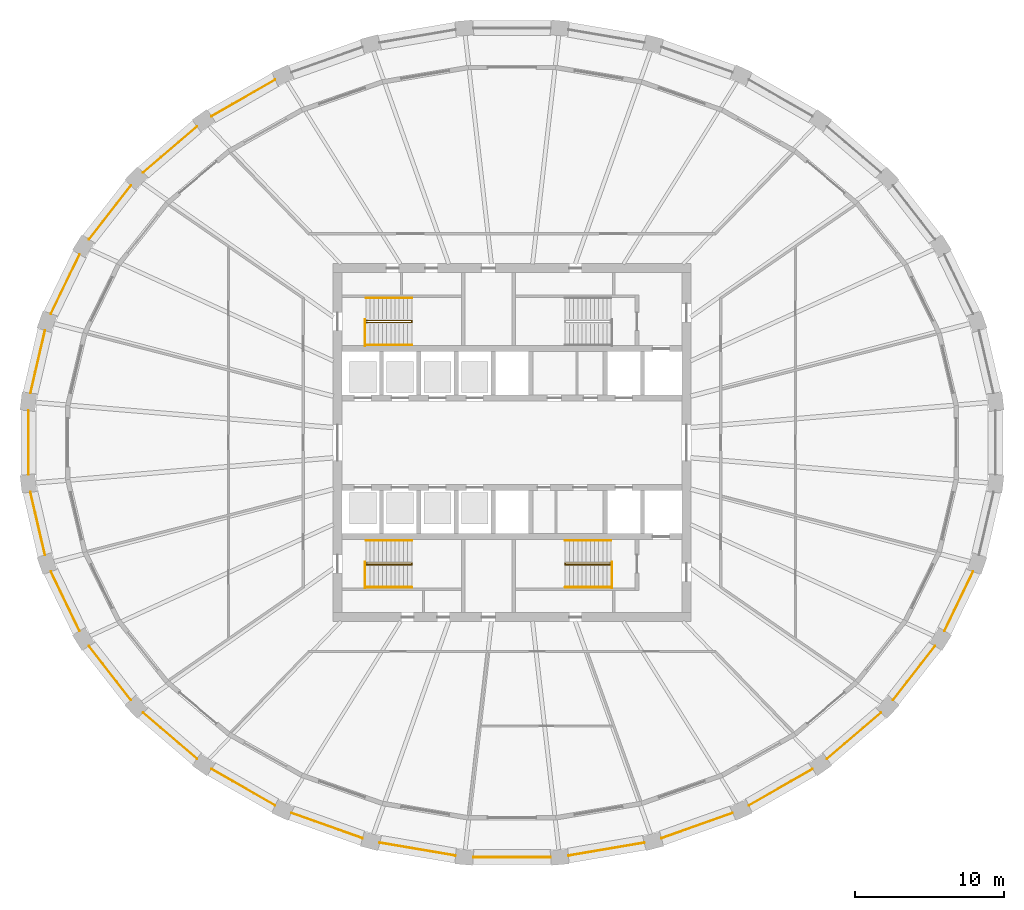
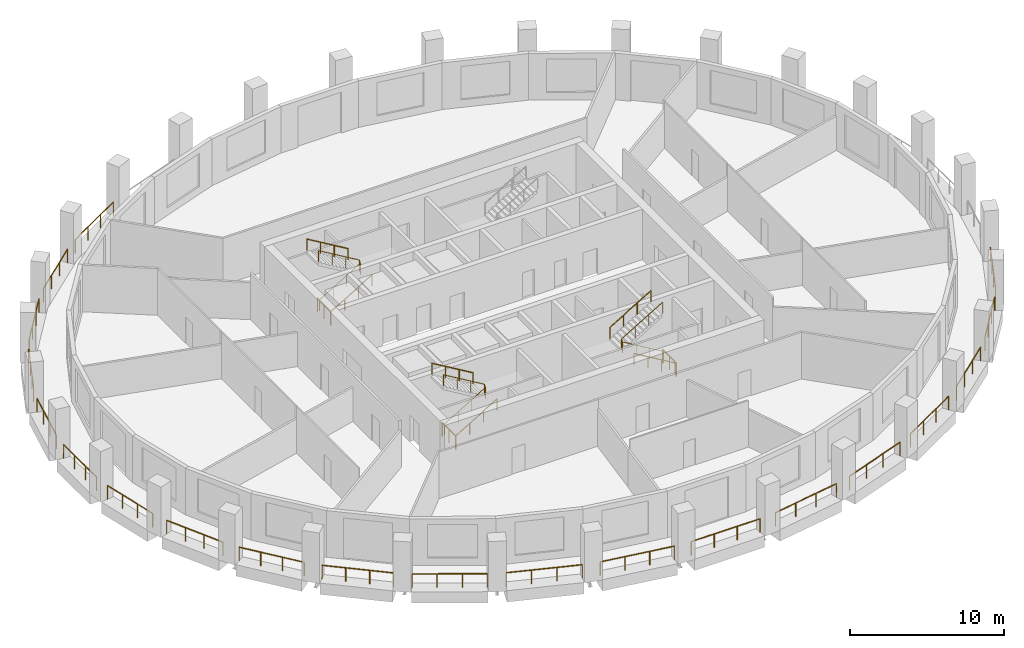
# One storey, part 8 of 10: 32 railings.
"""IFC4 building model written with IfcOpenShell, lengths in metres."""

from ifc_helpers import new_model, si_unit, direction, frame, origin, origin_2d, place, context, subcontext, project, spatial, circle, extrude, material, type_object, element, save


model = new_model("IFC4")

# Units and contexts
model_context = context("Model", 3, precision=1e-05, world=origin(), true_north=direction((0.0, 1.0)))
body_context = subcontext(model_context, "Body", "Model", "MODEL_VIEW")
ifc_project = project(units=[si_unit("LENGTHUNIT", "METRE"), si_unit("AREAUNIT", "SQUARE_METRE"), si_unit("VOLUMEUNIT", "CUBIC_METRE"), si_unit("PLANEANGLEUNIT", "RADIAN"), si_unit("MASSUNIT", "GRAM", prefix="KILO")], contexts=[model_context])

# Site, building, storey
site_placement = place(None, origin())
site = spatial("IfcSite", under=ifc_project, at=site_placement, CompositionType="ELEMENT")
building_placement = place(site_placement, origin())
building = spatial("IfcBuilding", under=site, at=building_placement, Name="Halqa Exchange Tower", CompositionType="ELEMENT")
storey_placement = place(building_placement, frame((0.0, 0.0, 190.89990234375)))
storey = spatial("IfcBuildingStorey", under=building, at=storey_placement, Name="L43", CompositionType="ELEMENT", Elevation=190.89990234375)

# Railings
ifc_material = material(Name="Stainless steel", Category="steel")
railing_type_1 = type_object("IfcRailingType", Name="Guard 1100 stainless steel", PredefinedType="GUARDRAIL", material=ifc_material)
railing_1_placement = place(storey_placement, frame((-15.87841796875, 24.329345703125, 0.0)))
element("IfcRailing", 1, at=railing_1_placement, inside=storey, type_object=railing_type_1, Name="Loggia guard 11", PredefinedType="GUARDRAIL", context=body_context, shape_type="SweptSolid", body=[
    extrude(circle(Radius=0.02392578125, at=origin_2d()), frame((0.0, 0.0, 1.076171875), z_axis=(-0.867760186482, -0.496983157417, 0.0), x_axis=(0.496983157417, -0.867760186482, 0.0)), (0.0, 0.0, 1.0), 4.91943359375),
    extrude(circle(Radius=0.02099609375, at=origin_2d()), origin(), (0.0, 0.0, 1.0), 1.052001953125),
    extrude(circle(Radius=0.02099609375, at=origin_2d()), frame((-1.4228515625, -0.81494140625, 0.0)), (0.0, 0.0, 1.0), 1.052001953125),
    extrude(circle(Radius=0.02099609375, at=origin_2d()), frame((-2.845947265625, -1.6298828125, 0.0)), (0.0, 0.0, 1.0), 1.052001953125),
    extrude(circle(Radius=0.02099609375, at=origin_2d()), frame((-4.268798828125, -2.44482421875, 0.0)), (0.0, 0.0, 1.0), 1.052001953125),
])
railing_2_placement = place(storey_placement, frame((-21.123291015625, 21.19580078125, 0.0)))
element("IfcRailing", 2, at=railing_2_placement, inside=storey, type_object=railing_type_1, Name="Loggia guard 12", PredefinedType="GUARDRAIL", context=body_context, shape_type="SweptSolid", body=[
    extrude(circle(Radius=0.02392578125, at=origin_2d()), frame((0.0, 0.0, 1.076171875), z_axis=(-0.759245713633, -0.650804076761, 0.0), x_axis=(0.650804076761, -0.759245713633, 0.0)), (0.0, 0.0, 1.0), 4.748046875),
    extrude(circle(Radius=0.02099609375, at=origin_2d()), origin(), (0.0, 0.0, 1.0), 1.052001953125),
    extrude(circle(Radius=0.02099609375, at=origin_2d()), frame((-1.20166015625, -1.030029296875, 0.0)), (0.0, 0.0, 1.0), 1.052001953125),
    extrude(circle(Radius=0.02099609375, at=origin_2d()), frame((-2.4033203125, -2.06005859375, 0.0)), (0.0, 0.0, 1.0), 1.052001953125),
    extrude(circle(Radius=0.02099609375, at=origin_2d()), frame((-3.60498046875, -3.090087890625, 0.0)), (0.0, 0.0, 1.0), 1.052001953125),
])
railing_3_placement = place(storey_placement, frame((-25.552734375, 17.2421875, 0.0)))
element("IfcRailing", 3, at=railing_3_placement, inside=storey, type_object=railing_type_1, Name="Loggia guard 13", PredefinedType="GUARDRAIL", context=body_context, shape_type="SweptSolid", body=[
    extrude(circle(Radius=0.02392578125, at=origin_2d()), frame((0.0, 0.0, 1.076171875), z_axis=(-0.614790692389, -0.788690309661, 0.0), x_axis=(0.788690309661, -0.614790692389, 0.0)), (0.0, 0.0, 1.0), 4.571044921875),
    extrude(circle(Radius=0.02099609375, at=origin_2d()), origin(), (0.0, 0.0, 1.0), 1.052001953125),
    extrude(circle(Radius=0.02099609375, at=origin_2d()), frame((-0.936767578125, -1.20166015625, 0.0)), (0.0, 0.0, 1.0), 1.052001953125),
    extrude(circle(Radius=0.02099609375, at=origin_2d()), frame((-1.87353515625, -2.403564453125, 0.0)), (0.0, 0.0, 1.0), 1.052001953125),
    extrude(circle(Radius=0.02099609375, at=origin_2d()), frame((-2.810302734375, -3.605224609375, 0.0)), (0.0, 0.0, 1.0), 1.052001953125),
])
railing_4_placement = place(storey_placement, frame((-28.9931640625, 12.62353515625, 0.0)))
element("IfcRailing", 4, at=railing_4_placement, inside=storey, type_object=railing_type_1, Name="Loggia guard 14", PredefinedType="GUARDRAIL", context=body_context, shape_type="SweptSolid", body=[
    extrude(circle(Radius=0.02392578125, at=origin_2d()), frame((0.0, 0.0, 1.076171875), z_axis=(-0.435079799451, -0.900391896959, 0.0), x_axis=(0.900391896959, -0.435079799451, 0.0)), (0.0, 0.0, 1.0), 4.417236328125),
    extrude(circle(Radius=0.02099609375, at=origin_2d()), origin(), (0.0, 0.0, 1.0), 1.052001953125),
    extrude(circle(Radius=0.02099609375, at=origin_2d()), frame((-0.640625, -1.32568359375, 0.0)), (0.0, 0.0, 1.0), 1.052001953125),
    extrude(circle(Radius=0.02099609375, at=origin_2d()), frame((-1.28125, -2.651611328125, 0.0)), (0.0, 0.0, 1.0), 1.052001953125),
    extrude(circle(Radius=0.02099609375, at=origin_2d()), frame((-1.921875, -3.977294921875, 0.0)), (0.0, 0.0, 1.0), 1.052001953125),
])
railing_5_placement = place(storey_placement, frame((-31.311767578125, 7.521484375, 0.0)))
element("IfcRailing", 5, at=railing_5_placement, inside=storey, type_object=railing_type_1, Name="Loggia guard 15", PredefinedType="GUARDRAIL", context=body_context, shape_type="SweptSolid", body=[
    extrude(circle(Radius=0.02392578125, at=origin_2d()), frame((0.0, 0.0, 1.076171875), z_axis=(-0.226046234035, -0.974116574173, 0.0), x_axis=(0.974116574173, -0.226046234035, 0.0)), (0.0, 0.0, 1.0), 4.3115234375),
    extrude(circle(Radius=0.02099609375, at=origin_2d()), origin(), (0.0, 0.0, 1.0), 1.052001953125),
    extrude(circle(Radius=0.02099609375, at=origin_2d()), frame((-0.324951171875, -1.39990234375, 0.0)), (0.0, 0.0, 1.0), 1.052001953125),
    extrude(circle(Radius=0.02099609375, at=origin_2d()), frame((-0.649658203125, -2.800048828125, 0.0)), (0.0, 0.0, 1.0), 1.052001953125),
    extrude(circle(Radius=0.02099609375, at=origin_2d()), frame((-0.974609375, -4.199951171875, 0.0)), (0.0, 0.0, 1.0), 1.052001953125),
])
railing_6_placement = place(storey_placement, frame((-32.422119140625, 2.13720703125, 0.0)))
element("IfcRailing", 6, at=railing_6_placement, inside=storey, type_object=railing_type_1, Name="Loggia guard 16", PredefinedType="GUARDRAIL", context=body_context, shape_type="SweptSolid", body=[
    extrude(circle(Radius=0.02392578125, at=origin_2d()), frame((0.0, 0.0, 1.076171875), z_axis=(0.0, -1.0, 0.0), x_axis=(1.0, 0.0, 0.0)), (0.0, 0.0, 1.0), 4.2744140625),
    extrude(circle(Radius=0.02099609375, at=origin_2d()), origin(), (0.0, 0.0, 1.0), 1.052001953125),
    extrude(circle(Radius=0.02099609375, at=origin_2d()), frame((0.0, -1.4248046875, 0.0)), (0.0, 0.0, 1.0), 1.052001953125),
    extrude(circle(Radius=0.02099609375, at=origin_2d()), frame((0.0, -2.849609375, 0.0)), (0.0, 0.0, 1.0), 1.052001953125),
    extrude(circle(Radius=0.02099609375, at=origin_2d()), frame((0.0, -4.2744140625, 0.0)), (0.0, 0.0, 1.0), 1.052001953125),
])
railing_7_placement = place(storey_placement, frame((-32.286376953125, -3.321533203125, 0.0)))
element("IfcRailing", 7, at=railing_7_placement, inside=storey, type_object=railing_type_1, Name="Loggia guard 17", PredefinedType="GUARDRAIL", context=body_context, shape_type="SweptSolid", body=[
    extrude(circle(Radius=0.02392578125, at=origin_2d()), frame((0.0, 0.0, 1.076171875), z_axis=(0.226046234035, -0.974116574173, 0.0), x_axis=(0.974116574173, 0.226046234035, 0.0)), (0.0, 0.0, 1.0), 4.3115234375),
    extrude(circle(Radius=0.02099609375, at=origin_2d()), origin(), (0.0, 0.0, 1.0), 1.052001953125),
    extrude(circle(Radius=0.02099609375, at=origin_2d()), frame((0.324951171875, -1.39990234375, 0.0)), (0.0, 0.0, 1.0), 1.052001953125),
    extrude(circle(Radius=0.02099609375, at=origin_2d()), frame((0.649658203125, -2.800048828125, 0.0)), (0.0, 0.0, 1.0), 1.052001953125),
    extrude(circle(Radius=0.02099609375, at=origin_2d()), frame((0.974609375, -4.199951171875, 0.0)), (0.0, 0.0, 1.0), 1.052001953125),
])
railing_8_placement = place(storey_placement, frame((-30.9150390625, -8.646240234375, 0.0)))
element("IfcRailing", 8, at=railing_8_placement, inside=storey, type_object=railing_type_1, Name="Loggia guard 18", PredefinedType="GUARDRAIL", context=body_context, shape_type="SweptSolid", body=[
    extrude(circle(Radius=0.02392578125, at=origin_2d()), frame((0.0, 0.0, 1.076171875), z_axis=(0.435079799451, -0.900391896959, 0.0), x_axis=(0.900391896959, 0.435079799451, 0.0)), (0.0, 0.0, 1.0), 4.417236328125),
    extrude(circle(Radius=0.02099609375, at=origin_2d()), origin(), (0.0, 0.0, 1.0), 1.052001953125),
    extrude(circle(Radius=0.02099609375, at=origin_2d()), frame((0.640625, -1.32568359375, 0.0)), (0.0, 0.0, 1.0), 1.052001953125),
    extrude(circle(Radius=0.02099609375, at=origin_2d()), frame((1.28125, -2.651611328125, 0.0)), (0.0, 0.0, 1.0), 1.052001953125),
    extrude(circle(Radius=0.02099609375, at=origin_2d()), frame((1.921875, -3.977294921875, 0.0)), (0.0, 0.0, 1.0), 1.052001953125),
])
railing_9_placement = place(storey_placement, frame((-28.363037109375, -13.636962890625, 0.0)))
element("IfcRailing", 9, at=railing_9_placement, inside=storey, type_object=railing_type_1, Name="Loggia guard 19", PredefinedType="GUARDRAIL", context=body_context, shape_type="SweptSolid", body=[
    extrude(circle(Radius=0.02392578125, at=origin_2d()), frame((0.0, 0.0, 1.076171875), z_axis=(0.614790692389, -0.788690309661, 0.0), x_axis=(0.788690309661, 0.614790692389, 0.0)), (0.0, 0.0, 1.0), 4.571044921875),
    extrude(circle(Radius=0.02099609375, at=origin_2d()), origin(), (0.0, 0.0, 1.0), 1.052001953125),
    extrude(circle(Radius=0.02099609375, at=origin_2d()), frame((0.936767578125, -1.20166015625, 0.0)), (0.0, 0.0, 1.0), 1.052001953125),
    extrude(circle(Radius=0.02099609375, at=origin_2d()), frame((1.87353515625, -2.403564453125, 0.0)), (0.0, 0.0, 1.0), 1.052001953125),
    extrude(circle(Radius=0.02099609375, at=origin_2d()), frame((2.810302734375, -3.605224609375, 0.0)), (0.0, 0.0, 1.0), 1.052001953125),
])
railing_10_placement = place(storey_placement, frame((-24.728271484375, -18.105712890625, 0.0)))
element("IfcRailing", 10, at=railing_10_placement, inside=storey, type_object=railing_type_1, Name="Loggia guard 20", PredefinedType="GUARDRAIL", context=body_context, shape_type="SweptSolid", body=[
    extrude(circle(Radius=0.02392578125, at=origin_2d()), frame((0.0, 0.0, 1.076171875), z_axis=(0.759245713633, -0.650804076761, 0.0), x_axis=(0.650804076761, 0.759245713633, 0.0)), (0.0, 0.0, 1.0), 4.748046875),
    extrude(circle(Radius=0.02099609375, at=origin_2d()), origin(), (0.0, 0.0, 1.0), 1.052001953125),
    extrude(circle(Radius=0.02099609375, at=origin_2d()), frame((1.20166015625, -1.030029296875, 0.0)), (0.0, 0.0, 1.0), 1.052001953125),
    extrude(circle(Radius=0.02099609375, at=origin_2d()), frame((2.4033203125, -2.06005859375, 0.0)), (0.0, 0.0, 1.0), 1.052001953125),
    extrude(circle(Radius=0.02099609375, at=origin_2d()), frame((3.60498046875, -3.090087890625, 0.0)), (0.0, 0.0, 1.0), 1.052001953125),
])
railing_11_placement = place(storey_placement, frame((-20.147216796875, -21.884521484375, 0.0)))
element("IfcRailing", 11, at=railing_11_placement, inside=storey, type_object=railing_type_1, Name="Loggia guard 21", PredefinedType="GUARDRAIL", context=body_context, shape_type="SweptSolid", body=[
    extrude(circle(Radius=0.02392578125, at=origin_2d()), frame((0.0, 0.0, 1.076171875), z_axis=(0.867760186482, -0.496983157417, 0.0), x_axis=(0.496983157417, 0.867760186482, 0.0)), (0.0, 0.0, 1.0), 4.91943359375),
    extrude(circle(Radius=0.02099609375, at=origin_2d()), origin(), (0.0, 0.0, 1.0), 1.052001953125),
    extrude(circle(Radius=0.02099609375, at=origin_2d()), frame((1.4228515625, -0.81494140625, 0.0)), (0.0, 0.0, 1.0), 1.052001953125),
    extrude(circle(Radius=0.02099609375, at=origin_2d()), frame((2.845947265625, -1.6298828125, 0.0)), (0.0, 0.0, 1.0), 1.052001953125),
    extrude(circle(Radius=0.02099609375, at=origin_2d()), frame((4.268798828125, -2.44482421875, 0.0)), (0.0, 0.0, 1.0), 1.052001953125),
])
railing_12_placement = place(storey_placement, frame((-14.792236328125, -24.828125, 0.0)))
element("IfcRailing", 12, at=railing_12_placement, inside=storey, type_object=railing_type_1, Name="Loggia guard 22", PredefinedType="GUARDRAIL", context=body_context, shape_type="SweptSolid", body=[
    extrude(circle(Radius=0.02392578125, at=origin_2d()), frame((0.0, 0.0, 1.076171875), z_axis=(0.942353673128, -0.334618521217, 0.0), x_axis=(0.334618521217, 0.942353673128, 0.0)), (0.0, 0.0, 1.0), 5.061279296875),
    extrude(circle(Radius=0.02099609375, at=origin_2d()), origin(), (0.0, 0.0, 1.0), 1.052001953125),
    extrude(circle(Radius=0.02099609375, at=origin_2d()), frame((1.58984375, -0.564453125, 0.0)), (0.0, 0.0, 1.0), 1.052001953125),
    extrude(circle(Radius=0.02099609375, at=origin_2d()), frame((3.1796875, -1.129150390625, 0.0)), (0.0, 0.0, 1.0), 1.052001953125),
    extrude(circle(Radius=0.02099609375, at=origin_2d()), frame((4.76953125, -1.693603515625, 0.0)), (0.0, 0.0, 1.0), 1.052001953125),
])
railing_13_placement = place(storey_placement, frame((-8.86572265625, -26.8232421875, 0.0)))
element("IfcRailing", 13, at=railing_13_placement, inside=storey, type_object=railing_type_1, Name="Loggia guard 23", PredefinedType="GUARDRAIL", context=body_context, shape_type="SweptSolid", body=[
    extrude(circle(Radius=0.02392578125, at=origin_2d()), frame((0.0, 0.0, 1.076171875), z_axis=(0.985776455077, -0.168061835693, 0.0), x_axis=(0.168061835693, 0.985776455077, 0.0)), (0.0, 0.0, 1.0), 5.154052734375),
    extrude(circle(Radius=0.02099609375, at=origin_2d()), origin(), (0.0, 0.0, 1.0), 1.052001953125),
    extrude(circle(Radius=0.02099609375, at=origin_2d()), frame((1.693603515625, -0.288818359375, 0.0)), (0.0, 0.0, 1.0), 1.052001953125),
    extrude(circle(Radius=0.02099609375, at=origin_2d()), frame((3.38720703125, -0.577392578125, 0.0)), (0.0, 0.0, 1.0), 1.052001953125),
    extrude(circle(Radius=0.02099609375, at=origin_2d()), frame((5.080810546875, -0.8662109375, 0.0)), (0.0, 0.0, 1.0), 1.052001953125),
])
railing_14_placement = place(storey_placement, frame((-2.59326171875, -27.790283203125, 0.0)))
element("IfcRailing", 14, at=railing_14_placement, inside=storey, type_object=railing_type_1, Name="Loggia guard 24", PredefinedType="GUARDRAIL", context=body_context, shape_type="SweptSolid", body=[
    extrude(circle(Radius=0.02392578125, at=origin_2d()), frame((0.0, 0.0, 1.076171875), z_axis=(1.0, 0.0, 0.0), x_axis=(0.0, 1.0, 0.0)), (0.0, 0.0, 1.0), 5.1865234375),
    extrude(circle(Radius=0.02099609375, at=origin_2d()), origin(), (0.0, 0.0, 1.0), 1.052001953125),
    extrude(circle(Radius=0.02099609375, at=origin_2d()), frame((1.728759765625, 0.0, 0.0)), (0.0, 0.0, 1.0), 1.052001953125),
    extrude(circle(Radius=0.02099609375, at=origin_2d()), frame((3.457763671875, 0.0, 0.0)), (0.0, 0.0, 1.0), 1.052001953125),
    extrude(circle(Radius=0.02099609375, at=origin_2d()), frame((5.1865234375, 0.0, 0.0)), (0.0, 0.0, 1.0), 1.052001953125),
])
railing_15_placement = place(storey_placement, frame((3.784912109375, -27.689453125, 0.0)))
element("IfcRailing", 15, at=railing_15_placement, inside=storey, type_object=railing_type_1, Name="Loggia guard 25", PredefinedType="GUARDRAIL", context=body_context, shape_type="SweptSolid", body=[
    extrude(circle(Radius=0.02392578125, at=origin_2d()), frame((0.0, 0.0, 1.076171875), z_axis=(0.985776455077, 0.168061835693, 0.0), x_axis=(-0.168061835693, 0.985776455077, 0.0)), (0.0, 0.0, 1.0), 5.154052734375),
    extrude(circle(Radius=0.02099609375, at=origin_2d()), origin(), (0.0, 0.0, 1.0), 1.052001953125),
    extrude(circle(Radius=0.02099609375, at=origin_2d()), frame((1.693603515625, 0.288818359375, 0.0)), (0.0, 0.0, 1.0), 1.052001953125),
    extrude(circle(Radius=0.02099609375, at=origin_2d()), frame((3.38720703125, 0.577392578125, 0.0)), (0.0, 0.0, 1.0), 1.052001953125),
    extrude(circle(Radius=0.02099609375, at=origin_2d()), frame((5.080810546875, 0.8662109375, 0.0)), (0.0, 0.0, 1.0), 1.052001953125),
])
railing_16_placement = place(storey_placement, frame((10.022705078125, -26.521728515625, 0.0)))
element("IfcRailing", 16, at=railing_16_placement, inside=storey, type_object=railing_type_1, Name="Loggia guard 26", PredefinedType="GUARDRAIL", context=body_context, shape_type="SweptSolid", body=[
    extrude(circle(Radius=0.02392578125, at=origin_2d()), frame((0.0, 0.0, 1.076171875), z_axis=(0.942353673128, 0.334618521217, 0.0), x_axis=(-0.334618521217, 0.942353673128, 0.0)), (0.0, 0.0, 1.0), 5.061279296875),
    extrude(circle(Radius=0.02099609375, at=origin_2d()), origin(), (0.0, 0.0, 1.0), 1.052001953125),
    extrude(circle(Radius=0.02099609375, at=origin_2d()), frame((1.58984375, 0.564453125, 0.0)), (0.0, 0.0, 1.0), 1.052001953125),
    extrude(circle(Radius=0.02099609375, at=origin_2d()), frame((3.1796875, 1.129150390625, 0.0)), (0.0, 0.0, 1.0), 1.052001953125),
    extrude(circle(Radius=0.02099609375, at=origin_2d()), frame((4.76953125, 1.693603515625, 0.0)), (0.0, 0.0, 1.0), 1.052001953125),
])
railing_17_placement = place(storey_placement, frame((15.87841796875, -24.329345703125, 0.0)))
element("IfcRailing", 17, at=railing_17_placement, inside=storey, type_object=railing_type_1, Name="Loggia guard 27", PredefinedType="GUARDRAIL", context=body_context, shape_type="SweptSolid", body=[
    extrude(circle(Radius=0.02392578125, at=origin_2d()), frame((0.0, 0.0, 1.076171875), z_axis=(0.867760186482, 0.496983157417, 0.0), x_axis=(-0.496983157417, 0.867760186482, 0.0)), (0.0, 0.0, 1.0), 4.91943359375),
    extrude(circle(Radius=0.02099609375, at=origin_2d()), origin(), (0.0, 0.0, 1.0), 1.052001953125),
    extrude(circle(Radius=0.02099609375, at=origin_2d()), frame((1.4228515625, 0.81494140625, 0.0)), (0.0, 0.0, 1.0), 1.052001953125),
    extrude(circle(Radius=0.02099609375, at=origin_2d()), frame((2.845947265625, 1.6298828125, 0.0)), (0.0, 0.0, 1.0), 1.052001953125),
    extrude(circle(Radius=0.02099609375, at=origin_2d()), frame((4.268798828125, 2.44482421875, 0.0)), (0.0, 0.0, 1.0), 1.052001953125),
])
railing_18_placement = place(storey_placement, frame((21.123291015625, -21.19580078125, 0.0)))
element("IfcRailing", 18, at=railing_18_placement, inside=storey, type_object=railing_type_1, Name="Loggia guard 28", PredefinedType="GUARDRAIL", context=body_context, shape_type="SweptSolid", body=[
    extrude(circle(Radius=0.02392578125, at=origin_2d()), frame((0.0, 0.0, 1.076171875), z_axis=(0.759245713633, 0.650804076761, 0.0), x_axis=(-0.650804076761, 0.759245713633, 0.0)), (0.0, 0.0, 1.0), 4.748046875),
    extrude(circle(Radius=0.02099609375, at=origin_2d()), origin(), (0.0, 0.0, 1.0), 1.052001953125),
    extrude(circle(Radius=0.02099609375, at=origin_2d()), frame((1.20166015625, 1.030029296875, 0.0)), (0.0, 0.0, 1.0), 1.052001953125),
    extrude(circle(Radius=0.02099609375, at=origin_2d()), frame((2.4033203125, 2.06005859375, 0.0)), (0.0, 0.0, 1.0), 1.052001953125),
    extrude(circle(Radius=0.02099609375, at=origin_2d()), frame((3.60498046875, 3.090087890625, 0.0)), (0.0, 0.0, 1.0), 1.052001953125),
])
railing_19_placement = place(storey_placement, frame((25.552734375, -17.2421875, 0.0)))
element("IfcRailing", 19, at=railing_19_placement, inside=storey, type_object=railing_type_1, Name="Loggia guard 29", PredefinedType="GUARDRAIL", context=body_context, shape_type="SweptSolid", body=[
    extrude(circle(Radius=0.02392578125, at=origin_2d()), frame((0.0, 0.0, 1.076171875), z_axis=(0.614790692389, 0.788690309661, 0.0), x_axis=(-0.788690309661, 0.614790692389, 0.0)), (0.0, 0.0, 1.0), 4.571044921875),
    extrude(circle(Radius=0.02099609375, at=origin_2d()), origin(), (0.0, 0.0, 1.0), 1.052001953125),
    extrude(circle(Radius=0.02099609375, at=origin_2d()), frame((0.936767578125, 1.20166015625, 0.0)), (0.0, 0.0, 1.0), 1.052001953125),
    extrude(circle(Radius=0.02099609375, at=origin_2d()), frame((1.87353515625, 2.403564453125, 0.0)), (0.0, 0.0, 1.0), 1.052001953125),
    extrude(circle(Radius=0.02099609375, at=origin_2d()), frame((2.810302734375, 3.605224609375, 0.0)), (0.0, 0.0, 1.0), 1.052001953125),
])
railing_20_placement = place(storey_placement, frame((28.9931640625, -12.62353515625, 0.0)))
element("IfcRailing", 20, at=railing_20_placement, inside=storey, type_object=railing_type_1, Name="Loggia guard 30", PredefinedType="GUARDRAIL", context=body_context, shape_type="SweptSolid", body=[
    extrude(circle(Radius=0.02392578125, at=origin_2d()), frame((0.0, 0.0, 1.076171875), z_axis=(0.435079799451, 0.900391896959, 0.0), x_axis=(-0.900391896959, 0.435079799451, 0.0)), (0.0, 0.0, 1.0), 4.417236328125),
    extrude(circle(Radius=0.02099609375, at=origin_2d()), origin(), (0.0, 0.0, 1.0), 1.052001953125),
    extrude(circle(Radius=0.02099609375, at=origin_2d()), frame((0.640625, 1.32568359375, 0.0)), (0.0, 0.0, 1.0), 1.052001953125),
    extrude(circle(Radius=0.02099609375, at=origin_2d()), frame((1.28125, 2.651611328125, 0.0)), (0.0, 0.0, 1.0), 1.052001953125),
    extrude(circle(Radius=0.02099609375, at=origin_2d()), frame((1.921875, 3.977294921875, 0.0)), (0.0, 0.0, 1.0), 1.052001953125),
])
railing_type_2 = type_object("IfcRailingType", Name="Stair handrail 900", PredefinedType="HANDRAIL", material=ifc_material)
railing_21_placement = place(storey_placement, frame((-9.800048828125, 8.06005859375, 0.166748046875)))
element("IfcRailing", 21, at=railing_21_placement, inside=storey, type_object=railing_type_2, Name="Handrail ST1.1", PredefinedType="HANDRAIL", context=body_context, shape_type="SweptSolid", body=[
    extrude(circle(Radius=0.02392578125, at=origin_2d()), frame((0.0, 0.0, 0.8759765625), z_axis=(0.859308565015, 0.0, 0.511457515432), x_axis=(0.0, 1.0, 0.0)), (0.0, 0.0, 1.0), 3.58447265625),
    extrude(circle(Radius=0.02392578125, at=origin_2d()), frame((3.080078125, 0.0, 2.708984375), z_axis=(0.0, 0.614500226555, 0.788916644243), x_axis=(-1.0, 0.0, 0.0)), (0.0, 0.0, 1.0), 0.21142578125),
    extrude(circle(Radius=0.02392578125, at=origin_2d()), frame((3.080078125, 0.1298828125, 2.8759765625), z_axis=(-0.859308565015, 0.0, 0.511457515432), x_axis=(0.0, -1.0, 0.0)), (0.0, 0.0, 1.0), 3.58447265625),
    extrude(circle(Radius=0.02099609375, at=origin_2d()), origin(), (0.0, 0.0, 1.0), 0.851806640625),
    extrude(circle(Radius=0.02099609375, at=origin_2d()), frame((1.026611328125, 0.0, 0.611083984375)), (0.0, 0.0, 1.0), 0.851806640625),
    extrude(circle(Radius=0.02099609375, at=origin_2d()), frame((2.053466796875, 0.0, 1.22216796875)), (0.0, 0.0, 1.0), 0.851806640625),
    extrude(circle(Radius=0.02099609375, at=origin_2d()), frame((3.080078125, 0.0, 1.833251953125)), (0.0, 0.0, 1.0), 0.851806640625),
    extrude(circle(Radius=0.02099609375, at=origin_2d()), frame((3.080078125, 0.1298828125, 2.0)), (0.0, 0.0, 1.0), 0.851806640625),
    extrude(circle(Radius=0.02099609375, at=origin_2d()), frame((2.053466796875, 0.1298828125, 2.611083984375)), (0.0, 0.0, 1.0), 0.851806640625),
    extrude(circle(Radius=0.02099609375, at=origin_2d()), frame((1.026611328125, 0.1298828125, 3.22216796875)), (0.0, 0.0, 1.0), 0.851806640625),
    extrude(circle(Radius=0.02099609375, at=origin_2d()), frame((0.0, 0.1298828125, 3.833251953125)), (0.0, 0.0, 1.0), 0.851806640625),
])
railing_22_placement = place(storey_placement, frame((-9.800048828125, 6.550048828125, 0.166748046875)))
element("IfcRailing", 22, at=railing_22_placement, inside=storey, type_object=railing_type_2, Name="Handrail ST1.2", PredefinedType="HANDRAIL", context=body_context, shape_type="SweptSolid", body=[
    extrude(circle(Radius=0.02392578125, at=origin_2d()), frame((0.0, 0.0, 0.8759765625), z_axis=(0.859308565015, 0.0, 0.511457515432), x_axis=(0.0, 1.0, 0.0)), (0.0, 0.0, 1.0), 3.58447265625),
    extrude(circle(Radius=0.02099609375, at=origin_2d()), origin(), (0.0, 0.0, 1.0), 0.851806640625),
    extrude(circle(Radius=0.02099609375, at=origin_2d()), frame((1.026611328125, 0.0, 0.611083984375)), (0.0, 0.0, 1.0), 0.851806640625),
    extrude(circle(Radius=0.02099609375, at=origin_2d()), frame((2.053466796875, 0.0, 1.22216796875)), (0.0, 0.0, 1.0), 0.851806640625),
    extrude(circle(Radius=0.02099609375, at=origin_2d()), frame((3.080078125, 0.0, 1.833251953125)), (0.0, 0.0, 1.0), 0.851806640625),
])
railing_23_placement = place(storey_placement, frame((-6.719970703125, 9.699951171875, 2.166748046875)))
element("IfcRailing", 23, at=railing_23_placement, inside=storey, type_object=railing_type_2, Name="Handrail ST1.3", PredefinedType="HANDRAIL", context=body_context, shape_type="SweptSolid", body=[
    extrude(circle(Radius=0.02392578125, at=origin_2d()), frame((0.0, 0.0, 0.8759765625), z_axis=(-0.859308565015, 0.0, 0.511457515432), x_axis=(0.0, -1.0, 0.0)), (0.0, 0.0, 1.0), 3.58447265625),
    extrude(circle(Radius=0.02099609375, at=origin_2d()), origin(), (0.0, 0.0, 1.0), 0.851806640625),
    extrude(circle(Radius=0.02099609375, at=origin_2d()), frame((-1.026611328125, 0.0, 0.611083984375)), (0.0, 0.0, 1.0), 0.851806640625),
    extrude(circle(Radius=0.02099609375, at=origin_2d()), frame((-2.053466796875, 0.0, 1.22216796875)), (0.0, 0.0, 1.0), 0.851806640625),
    extrude(circle(Radius=0.02099609375, at=origin_2d()), frame((-3.080078125, 0.0, 1.833251953125)), (0.0, 0.0, 1.0), 0.851806640625),
])
railing_24_placement = place(storey_placement, frame((-9.800048828125, -8.18994140625, 0.166748046875)))
element("IfcRailing", 24, at=railing_24_placement, inside=storey, type_object=railing_type_2, Name="Handrail ST3.1", PredefinedType="HANDRAIL", context=body_context, shape_type="SweptSolid", body=[
    extrude(circle(Radius=0.02392578125, at=origin_2d()), frame((0.0, 0.0, 0.8759765625), z_axis=(0.859308565015, 0.0, 0.511457515432), x_axis=(0.0, 1.0, 0.0)), (0.0, 0.0, 1.0), 3.58447265625),
    extrude(circle(Radius=0.02392578125, at=origin_2d()), frame((3.080078125, 0.0, 2.708984375), z_axis=(0.0, 0.614500226555, 0.788916644243), x_axis=(-1.0, 0.0, 0.0)), (0.0, 0.0, 1.0), 0.21142578125),
    extrude(circle(Radius=0.02392578125, at=origin_2d()), frame((3.080078125, 0.1298828125, 2.8759765625), z_axis=(-0.859308565015, 0.0, 0.511457515432), x_axis=(0.0, -1.0, 0.0)), (0.0, 0.0, 1.0), 3.58447265625),
    extrude(circle(Radius=0.02099609375, at=origin_2d()), origin(), (0.0, 0.0, 1.0), 0.851806640625),
    extrude(circle(Radius=0.02099609375, at=origin_2d()), frame((1.026611328125, 0.0, 0.611083984375)), (0.0, 0.0, 1.0), 0.851806640625),
    extrude(circle(Radius=0.02099609375, at=origin_2d()), frame((2.053466796875, 0.0, 1.22216796875)), (0.0, 0.0, 1.0), 0.851806640625),
    extrude(circle(Radius=0.02099609375, at=origin_2d()), frame((3.080078125, 0.0, 1.833251953125)), (0.0, 0.0, 1.0), 0.851806640625),
    extrude(circle(Radius=0.02099609375, at=origin_2d()), frame((3.080078125, 0.1298828125, 2.0)), (0.0, 0.0, 1.0), 0.851806640625),
    extrude(circle(Radius=0.02099609375, at=origin_2d()), frame((2.053466796875, 0.1298828125, 2.611083984375)), (0.0, 0.0, 1.0), 0.851806640625),
    extrude(circle(Radius=0.02099609375, at=origin_2d()), frame((1.026611328125, 0.1298828125, 3.22216796875)), (0.0, 0.0, 1.0), 0.851806640625),
    extrude(circle(Radius=0.02099609375, at=origin_2d()), frame((0.0, 0.1298828125, 3.833251953125)), (0.0, 0.0, 1.0), 0.851806640625),
])
railing_25_placement = place(storey_placement, frame((-9.800048828125, -9.699951171875, 0.166748046875)))
element("IfcRailing", 25, at=railing_25_placement, inside=storey, type_object=railing_type_2, Name="Handrail ST3.2", PredefinedType="HANDRAIL", context=body_context, shape_type="SweptSolid", body=[
    extrude(circle(Radius=0.02392578125, at=origin_2d()), frame((0.0, 0.0, 0.8759765625), z_axis=(0.859308565015, 0.0, 0.511457515432), x_axis=(0.0, 1.0, 0.0)), (0.0, 0.0, 1.0), 3.58447265625),
    extrude(circle(Radius=0.02099609375, at=origin_2d()), origin(), (0.0, 0.0, 1.0), 0.851806640625),
    extrude(circle(Radius=0.02099609375, at=origin_2d()), frame((1.026611328125, 0.0, 0.611083984375)), (0.0, 0.0, 1.0), 0.851806640625),
    extrude(circle(Radius=0.02099609375, at=origin_2d()), frame((2.053466796875, 0.0, 1.22216796875)), (0.0, 0.0, 1.0), 0.851806640625),
    extrude(circle(Radius=0.02099609375, at=origin_2d()), frame((3.080078125, 0.0, 1.833251953125)), (0.0, 0.0, 1.0), 0.851806640625),
])
railing_26_placement = place(storey_placement, frame((-6.719970703125, -6.550048828125, 2.166748046875)))
element("IfcRailing", 26, at=railing_26_placement, inside=storey, type_object=railing_type_2, Name="Handrail ST3.3", PredefinedType="HANDRAIL", context=body_context, shape_type="SweptSolid", body=[
    extrude(circle(Radius=0.02392578125, at=origin_2d()), frame((0.0, 0.0, 0.8759765625), z_axis=(-0.859308565015, 0.0, 0.511457515432), x_axis=(0.0, -1.0, 0.0)), (0.0, 0.0, 1.0), 3.58447265625),
    extrude(circle(Radius=0.02099609375, at=origin_2d()), origin(), (0.0, 0.0, 1.0), 0.851806640625),
    extrude(circle(Radius=0.02099609375, at=origin_2d()), frame((-1.026611328125, 0.0, 0.611083984375)), (0.0, 0.0, 1.0), 0.851806640625),
    extrude(circle(Radius=0.02099609375, at=origin_2d()), frame((-2.053466796875, 0.0, 1.22216796875)), (0.0, 0.0, 1.0), 0.851806640625),
    extrude(circle(Radius=0.02099609375, at=origin_2d()), frame((-3.080078125, 0.0, 1.833251953125)), (0.0, 0.0, 1.0), 0.851806640625),
])
railing_27_placement = place(storey_placement, frame((6.64990234375, -8.18994140625, 0.166748046875)))
element("IfcRailing", 27, at=railing_27_placement, inside=storey, type_object=railing_type_2, Name="Handrail ST4.1", PredefinedType="HANDRAIL", context=body_context, shape_type="SweptSolid", body=[
    extrude(circle(Radius=0.02392578125, at=origin_2d()), frame((0.0, 0.0, 0.8759765625), z_axis=(-0.859290745958, 0.0, 0.51148745235), x_axis=(0.0, -1.0, 0.0)), (0.0, 0.0, 1.0), 3.584228515625),
    extrude(circle(Radius=0.02392578125, at=origin_2d()), frame((-3.079833984375, 0.0, 2.708984375), z_axis=(0.0, 0.614500226555, 0.788916644243), x_axis=(-1.0, 0.0, 0.0)), (0.0, 0.0, 1.0), 0.21142578125),
    extrude(circle(Radius=0.02392578125, at=origin_2d()), frame((-3.079833984375, 0.1298828125, 2.8759765625), z_axis=(0.859290745958, 0.0, 0.51148745235), x_axis=(0.0, 1.0, 0.0)), (0.0, 0.0, 1.0), 3.584228515625),
    extrude(circle(Radius=0.02099609375, at=origin_2d()), origin(), (0.0, 0.0, 1.0), 0.851806640625),
    extrude(circle(Radius=0.02099609375, at=origin_2d()), frame((-1.026611328125, 0.0, 0.611083984375)), (0.0, 0.0, 1.0), 0.851806640625),
    extrude(circle(Radius=0.02099609375, at=origin_2d()), frame((-2.05322265625, 0.0, 1.22216796875)), (0.0, 0.0, 1.0), 0.851806640625),
    extrude(circle(Radius=0.02099609375, at=origin_2d()), frame((-3.079833984375, 0.0, 1.833251953125)), (0.0, 0.0, 1.0), 0.851806640625),
    extrude(circle(Radius=0.02099609375, at=origin_2d()), frame((-3.079833984375, 0.1298828125, 2.0)), (0.0, 0.0, 1.0), 0.851806640625),
    extrude(circle(Radius=0.02099609375, at=origin_2d()), frame((-2.05322265625, 0.1298828125, 2.611083984375)), (0.0, 0.0, 1.0), 0.851806640625),
    extrude(circle(Radius=0.02099609375, at=origin_2d()), frame((-1.026611328125, 0.1298828125, 3.22216796875)), (0.0, 0.0, 1.0), 0.851806640625),
    extrude(circle(Radius=0.02099609375, at=origin_2d()), frame((0.0, 0.1298828125, 3.833251953125)), (0.0, 0.0, 1.0), 0.851806640625),
])
railing_28_placement = place(storey_placement, frame((6.64990234375, -9.699951171875, 0.166748046875)))
element("IfcRailing", 28, at=railing_28_placement, inside=storey, type_object=railing_type_2, Name="Handrail ST4.2", PredefinedType="HANDRAIL", context=body_context, shape_type="SweptSolid", body=[
    extrude(circle(Radius=0.02392578125, at=origin_2d()), frame((0.0, 0.0, 0.8759765625), z_axis=(-0.859290745958, 0.0, 0.51148745235), x_axis=(0.0, -1.0, 0.0)), (0.0, 0.0, 1.0), 3.584228515625),
    extrude(circle(Radius=0.02099609375, at=origin_2d()), origin(), (0.0, 0.0, 1.0), 0.851806640625),
    extrude(circle(Radius=0.02099609375, at=origin_2d()), frame((-1.026611328125, 0.0, 0.611083984375)), (0.0, 0.0, 1.0), 0.851806640625),
    extrude(circle(Radius=0.02099609375, at=origin_2d()), frame((-2.05322265625, 0.0, 1.22216796875)), (0.0, 0.0, 1.0), 0.851806640625),
    extrude(circle(Radius=0.02099609375, at=origin_2d()), frame((-3.079833984375, 0.0, 1.833251953125)), (0.0, 0.0, 1.0), 0.851806640625),
])
railing_29_placement = place(storey_placement, frame((3.570068359375, -6.550048828125, 2.166748046875)))
element("IfcRailing", 29, at=railing_29_placement, inside=storey, type_object=railing_type_2, Name="Handrail ST4.3", PredefinedType="HANDRAIL", context=body_context, shape_type="SweptSolid", body=[
    extrude(circle(Radius=0.02392578125, at=origin_2d()), frame((0.0, 0.0, 0.8759765625), z_axis=(0.859290745958, 0.0, 0.51148745235), x_axis=(0.0, 1.0, 0.0)), (0.0, 0.0, 1.0), 3.584228515625),
    extrude(circle(Radius=0.02099609375, at=origin_2d()), origin(), (0.0, 0.0, 1.0), 0.851806640625),
    extrude(circle(Radius=0.02099609375, at=origin_2d()), frame((1.026611328125, 0.0, 0.611083984375)), (0.0, 0.0, 1.0), 0.851806640625),
    extrude(circle(Radius=0.02099609375, at=origin_2d()), frame((2.05322265625, 0.0, 1.22216796875)), (0.0, 0.0, 1.0), 0.851806640625),
    extrude(circle(Radius=0.02099609375, at=origin_2d()), frame((3.079833984375, 0.0, 1.833251953125)), (0.0, 0.0, 1.0), 0.851806640625),
])
railing_type_3 = type_object("IfcRailingType", Name="Stair well guard 1100", PredefinedType="GUARDRAIL", material=ifc_material)
for number, where, name in (
    (30, (-9.85009765625, 6.5, 0.0), "Guard ST1 well"),
    (31, (-9.85009765625, -9.75, 0.0), "Guard ST3 well"),
    (32, (6.699951171875, -9.75, 0.0), "Guard ST4 well"),
):
    element("IfcRailing", number, at=place(storey_placement, frame(where)), inside=storey, type_object=railing_type_3, Name=name, PredefinedType="GUARDRAIL", context=body_context, shape_type="SweptSolid", body=[
        extrude(circle(Radius=0.02392578125, at=origin_2d()), frame((0.0, 0.0, 1.076171875), z_axis=(0.0, 1.0, 0.0), x_axis=(-1.0, 0.0, 0.0)), (0.0, 0.0, 1.0), 1.75),
        extrude(circle(Radius=0.02099609375, at=origin_2d()), origin(), (0.0, 0.0, 1.0), 1.052001953125),
        extrude(circle(Radius=0.02099609375, at=origin_2d()), frame((0.0, 0.875, 0.0)), (0.0, 0.0, 1.0), 1.052001953125),
        extrude(circle(Radius=0.02099609375, at=origin_2d()), frame((0.0, 1.75, 0.0)), (0.0, 0.0, 1.0), 1.052001953125),
    ])

save(model, "model.ifc")
